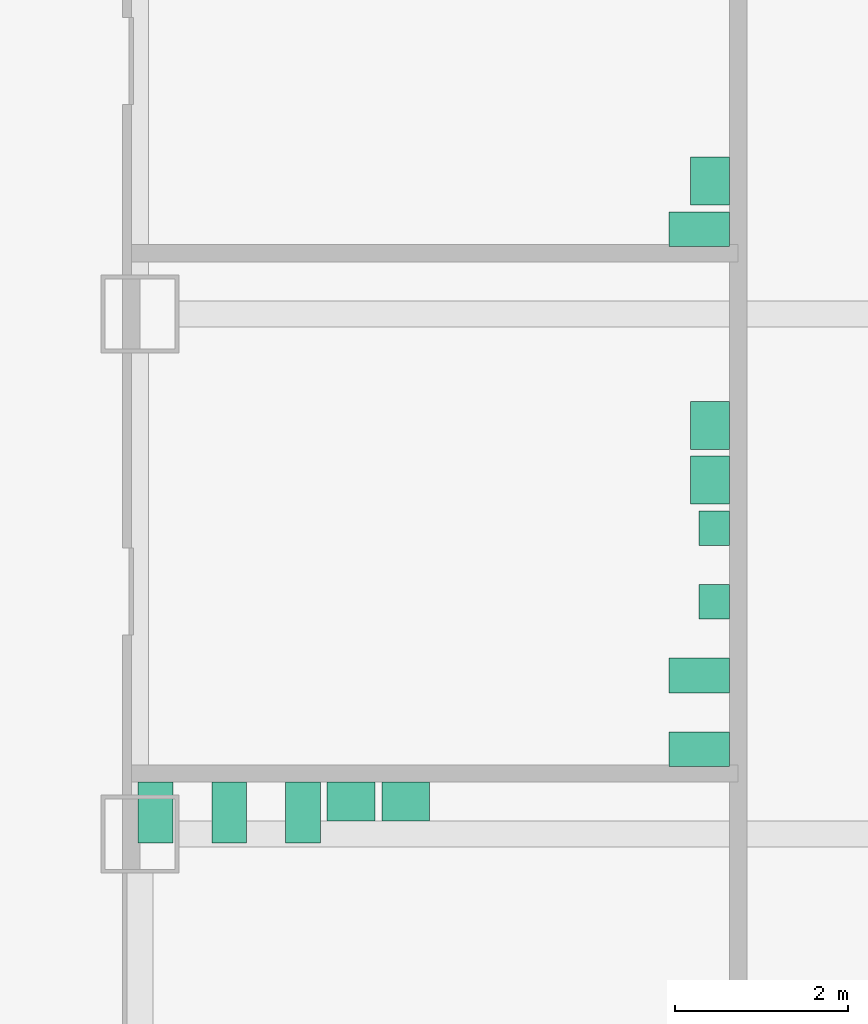
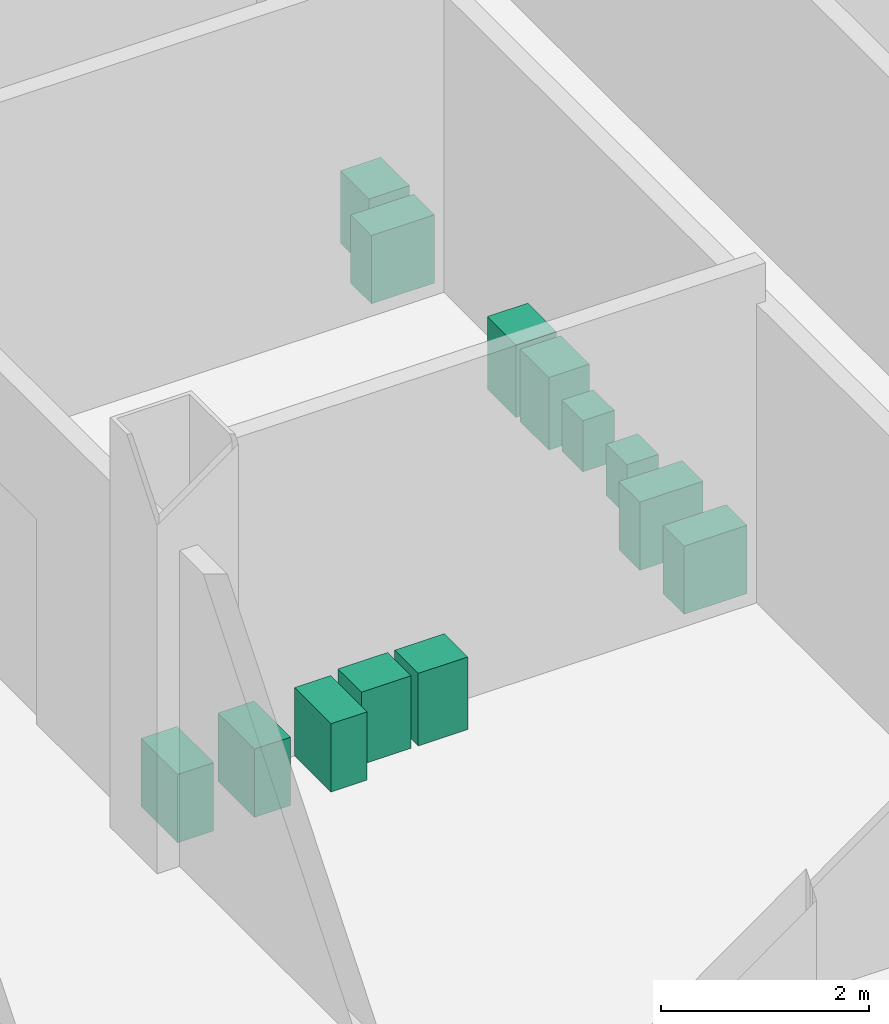
# One storey, part 33 of 33: 13 sanitary terminals.
"""IFC4 building model written with IfcOpenShell, lengths in metres."""

from ifc_helpers import new_model, si_unit, direction, frame, origin, origin_2d, place, context, subcontext, project, spatial, rectangle, extrude, element, save


model = new_model("IFC4")

# Units and contexts
model_context = context("Model", 3, precision=1e-05, world=origin(), true_north=direction((0.0, 1.0)))
body_context = subcontext(model_context, "Body", "Model", "MODEL_VIEW")
ifc_project = project(units=[si_unit("LENGTHUNIT", "METRE"), si_unit("AREAUNIT", "SQUARE_METRE"), si_unit("VOLUMEUNIT", "CUBIC_METRE"), si_unit("PLANEANGLEUNIT", "RADIAN"), si_unit("MASSUNIT", "GRAM", prefix="KILO")], contexts=[model_context])

# Site, building, storey
site_placement = place(None, origin())
site = spatial("IfcSite", under=ifc_project, at=site_placement, CompositionType="ELEMENT")
building_placement = place(site_placement, origin())
building = spatial("IfcBuilding", under=site, at=building_placement, Name="Sorahane Residences", CompositionType="ELEMENT")
storey_placement = place(building_placement, frame((0.0, 0.0, 30.0)))
storey = spatial("IfcBuildingStorey", under=building, at=storey_placement, Name="L04", CompositionType="ELEMENT", Elevation=30.0)

# Sanitary terminals
for number, where, z_axis, x_axis, name in (
    (1, (48.179931640625, 24.25, 0.0), (0.0, 0.0, 1.0), (1.0, 0.0, 0.0), "WC pan Women's toilets 04"),
    (2, (49.030029296875, 24.25, 0.0), (0.0, 0.0, 1.0), (1.0, 0.0, 0.0), "WC pan Women's toilets 04"),
    (3, (49.8798828125, 24.25, 0.0), (0.0, 0.0, 1.0), (1.0, 0.0, 0.0), "WC pan Women's toilets 04"),
):
    element("IfcSanitaryTerminal", number, at=place(storey_placement, frame(where, z_axis=z_axis, x_axis=x_axis)), inside=storey, Name=name, PredefinedType="TOILETPAN", context=body_context, shape_type="SweptSolid", body=[
        extrude(rectangle(XDim=0.39990234375, YDim=0.699951171875, at=origin_2d()), origin(), (0.0, 0.0, 1.0), 0.800048828125),
    ])
for number, where, z_axis, x_axis, name in (
    (4, (50.43505859375, 24.375, 0.0), (0.0, 0.0, 1.0), (1.0, 0.0, 0.0), "Wash basin Women's toilets 04"),
    (5, (51.06494140625, 24.375, 0.0), (0.0, 0.0, 1.0), (1.0, 0.0, 0.0), "Wash basin Women's toilets 04"),
):
    element("IfcSanitaryTerminal", number, at=place(storey_placement, frame(where, z_axis=z_axis, x_axis=x_axis)), inside=storey, Name=name, PredefinedType="WASHHANDBASIN", context=body_context, shape_type="SweptSolid", body=[
        extrude(rectangle(XDim=0.550048828125, YDim=0.449951171875, at=origin_2d()), origin(), (0.0, 0.0, 1.0), 0.85009765625),
    ])
for number, where, z_axis, x_axis, name in (
    (6, (54.449951171875, 24.97998046875, 0.0), (0.0, 0.0, 1.0), (0.0, -1.0, 0.0), "WC pan Men's toilets 04"),
    (7, (54.449951171875, 25.830078125, 0.0), (0.0, 0.0, 1.0), (0.0, -1.0, 0.0), "WC pan Men's toilets 04"),
):
    element("IfcSanitaryTerminal", number, at=place(storey_placement, frame(where, z_axis=z_axis, x_axis=x_axis)), inside=storey, Name=name, PredefinedType="TOILETPAN", context=body_context, shape_type="SweptSolid", body=[
        extrude(rectangle(XDim=0.39990234375, YDim=0.699951171875, at=origin_2d()), origin(), (0.0, 0.0, 1.0), 0.800048828125),
    ])
for number, where, z_axis, x_axis, name in (
    (8, (54.625, 26.679931640625, 0.0), (0.0, 0.0, 1.0), (0.0, -1.0, 0.0), "Urinal Men's toilets 04"),
    (9, (54.625, 27.530029296875, 0.0), (0.0, 0.0, 1.0), (0.0, -1.0, 0.0), "Urinal Men's toilets 04"),
):
    element("IfcSanitaryTerminal", number, at=place(storey_placement, frame(where, z_axis=z_axis, x_axis=x_axis)), inside=storey, Name=name, PredefinedType="URINAL", context=body_context, shape_type="SweptSolid", body=[
        extrude(rectangle(XDim=0.39990234375, YDim=0.35009765625, at=origin_2d()), origin(), (0.0, 0.0, 1.0), 0.60009765625),
    ])
for number, where, z_axis, x_axis, name in (
    (10, (54.574951171875, 28.0849609375, 0.0), (0.0, 0.0, 1.0), (0.0, -1.0, 0.0), "Wash basin Men's toilets 04"),
    (11, (54.574951171875, 28.715087890625, 0.0), (0.0, 0.0, 1.0), (0.0, -1.0, 0.0), "Wash basin Men's toilets 04"),
):
    element("IfcSanitaryTerminal", number, at=place(storey_placement, frame(where, z_axis=z_axis, x_axis=x_axis)), inside=storey, Name=name, PredefinedType="WASHHANDBASIN", context=body_context, shape_type="SweptSolid", body=[
        extrude(rectangle(XDim=0.550048828125, YDim=0.449951171875, at=origin_2d()), origin(), (0.0, 0.0, 1.0), 0.85009765625),
    ])
sanitary_terminal_1_placement = place(storey_placement, frame((54.449951171875, 30.97998046875, 0.0), z_axis=(0.0, 0.0, 1.0), x_axis=(0.0, -1.0, 0.0)))
element("IfcSanitaryTerminal", 12, at=sanitary_terminal_1_placement, inside=storey, Name="WC pan Accessible toilets 04", PredefinedType="TOILETPAN", context=body_context, shape_type="SweptSolid", body=[
    extrude(rectangle(XDim=0.39990234375, YDim=0.699951171875, at=origin_2d()), origin(), (0.0, 0.0, 1.0), 0.800048828125),
])
sanitary_terminal_2_placement = place(storey_placement, frame((54.574951171875, 31.534912109375, 0.0), z_axis=(0.0, 0.0, 1.0), x_axis=(0.0, -1.0, 0.0)))
element("IfcSanitaryTerminal", 13, at=sanitary_terminal_2_placement, inside=storey, Name="Wash basin Accessible toilets 04", PredefinedType="WASHHANDBASIN", context=body_context, shape_type="SweptSolid", body=[
    extrude(rectangle(XDim=0.550048828125, YDim=0.449951171875, at=origin_2d()), origin(), (0.0, 0.0, 1.0), 0.85009765625),
])

save(model, "model.ifc")
